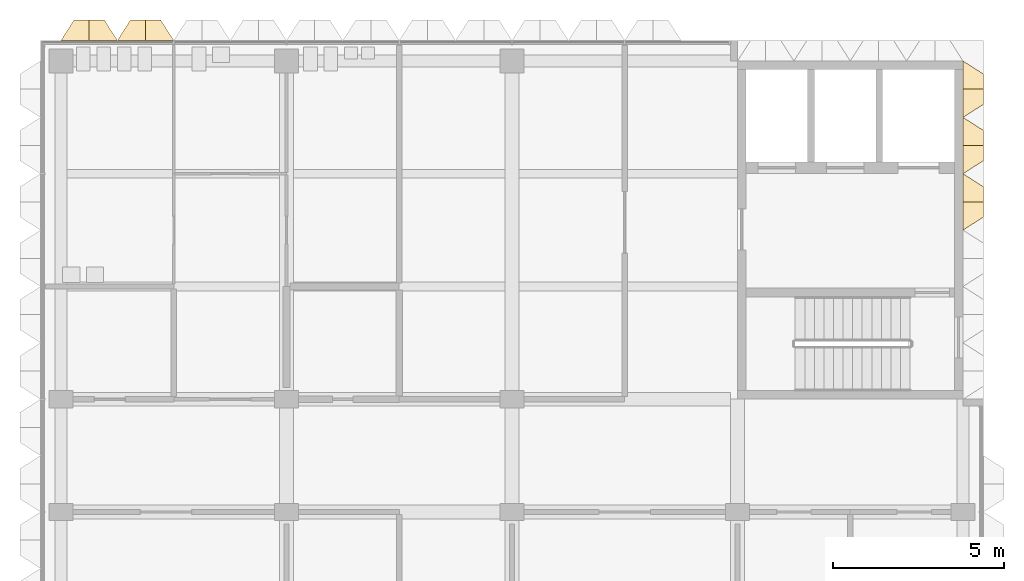
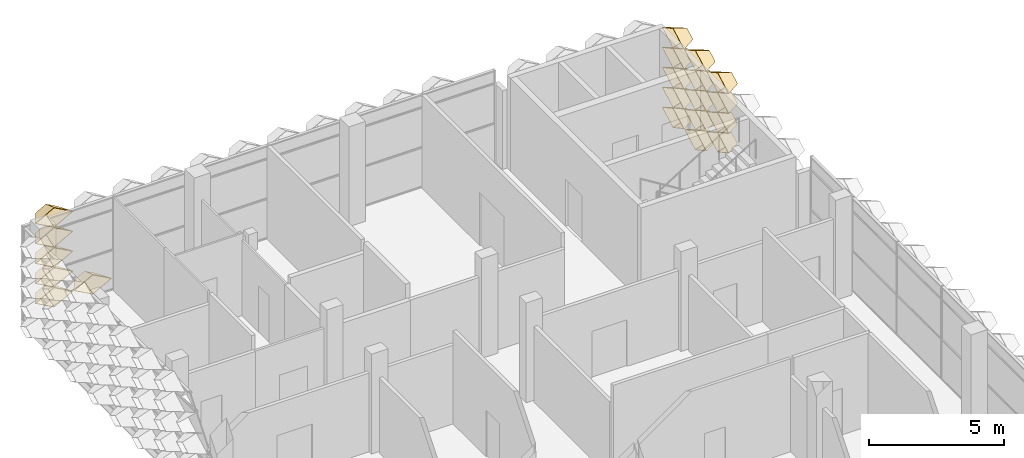
# One storey, part 23 of 28: 20 coverings.
"""IFC4 building model written with IfcOpenShell, lengths in metres."""

from ifc_helpers import new_model, entity, si_unit, direction, frame, origin, place, context, subcontext, project, spatial, material, layer, layer_set, type_object, element, save


model = new_model("IFC4")

# Units and contexts
model_context = context("Model", 3, precision=1e-05, world=origin(), true_north=direction((0.0, 1.0)))
body_context = subcontext(model_context, "Body", "Model", "MODEL_VIEW")
ifc_project = project(units=[si_unit("LENGTHUNIT", "METRE"), si_unit("AREAUNIT", "SQUARE_METRE"), si_unit("VOLUMEUNIT", "CUBIC_METRE"), si_unit("PLANEANGLEUNIT", "RADIAN"), si_unit("MASSUNIT", "GRAM", prefix="KILO")], contexts=[model_context])

# Site, building, storey
site_placement = place(None, origin())
site = spatial("IfcSite", under=ifc_project, at=site_placement, CompositionType="ELEMENT")
building_placement = place(site_placement, origin())
building = spatial("IfcBuilding", under=site, at=building_placement, Name="Lantern Court Research Institute", CompositionType="ELEMENT")
storey_placement = place(building_placement, frame((0.0, 0.0, 36.89990234375)))
storey = spatial("IfcBuildingStorey", under=building, at=storey_placement, Name="L08", CompositionType="ELEMENT", Elevation=36.89990234375)

# Coverings
ifc_material = material(Name="Anodised aluminium", Category="aluminium")
ifc_layer = layer(ifc_material, 0.01611328125)
ifc_layer_set = layer_set([ifc_layer], Name="Anodised aluminium")
covering_type = type_object("IfcCoveringType", Name="Fin cassette 1650 x 900 x 600 aluminium", PredefinedType="CLADDING", material=ifc_layer_set)
covering_1_placement = place(storey_placement, frame((79.199951171875, 20.625, 0.4501953125), z_axis=(1.0, 0.0, 0.0), x_axis=(0.0, 1.0, 0.0)))
cartesian_point_1 = entity("IfcCartesianPoint", [0.824951171875, 0.0])
cartesian_point_2 = entity("IfcCartesianPoint", [0.79150390625, 0.0])
cartesian_point_3 = entity("IfcCartesianPoint", [0.44189453125, 0.0])
cartesian_point_4 = entity("IfcCartesianPoint", [0.43359375, 0.0])
element("IfcCovering", 1, at=covering_1_placement, inside=storey, type_object=covering_type, Name="Fin cassette V5E-L08 1.13", PredefinedType="CLADDING", context=body_context, shape_type="SweptSolid", body=[
    entity("IfcExtrudedAreaSolidTapered", entity("IfcArbitraryProfileDefWithVoids", "AREA", None, entity("IfcPolyline", [cartesian_point_1, entity("IfcCartesianPoint", [0.0, 0.449951171875]), entity("IfcCartesianPoint", [-0.824951171875, 0.0]), entity("IfcCartesianPoint", [0.0, -0.449951171875]), cartesian_point_1]), [entity("IfcPolyline", [cartesian_point_2, entity("IfcCartesianPoint", [0.0, 0.431884765625]), entity("IfcCartesianPoint", [-0.79150390625, 0.0]), entity("IfcCartesianPoint", [0.0, -0.431884765625]), cartesian_point_2])]), entity("IfcAxis2Placement3D", entity("IfcCartesianPoint", [0.0, 0.0, 0.0])), entity("IfcDirection", [0.0, 0.0, 1.0]), 0.60009765625, entity("IfcArbitraryProfileDefWithVoids", "AREA", None, entity("IfcPolyline", [cartesian_point_3, entity("IfcCartesianPoint", [0.0, 0.240966796875]), entity("IfcCartesianPoint", [-0.44189453125, 0.0]), entity("IfcCartesianPoint", [0.0, -0.240966796875]), cartesian_point_3]), [entity("IfcPolyline", [cartesian_point_4, entity("IfcCartesianPoint", [0.0, 0.236572265625]), entity("IfcCartesianPoint", [-0.43359375, 0.0]), entity("IfcCartesianPoint", [0.0, -0.236572265625]), cartesian_point_4])])),
])
covering_2_placement = place(storey_placement, frame((79.199951171875, 22.27490234375, 0.4501953125), z_axis=(1.0, 0.0, 0.0), x_axis=(0.0, 1.0, 0.0)))
cartesian_point_5 = entity("IfcCartesianPoint", [0.824951171875, 0.0])
cartesian_point_6 = entity("IfcCartesianPoint", [0.79150390625, 0.0])
cartesian_point_7 = entity("IfcCartesianPoint", [0.44189453125, 0.0])
cartesian_point_8 = entity("IfcCartesianPoint", [0.43359375, 0.0])
element("IfcCovering", 2, at=covering_2_placement, inside=storey, type_object=covering_type, Name="Fin cassette V5E-L08 1.14", PredefinedType="CLADDING", context=body_context, shape_type="SweptSolid", body=[
    entity("IfcExtrudedAreaSolidTapered", entity("IfcArbitraryProfileDefWithVoids", "AREA", None, entity("IfcPolyline", [cartesian_point_5, entity("IfcCartesianPoint", [0.0, 0.449951171875]), entity("IfcCartesianPoint", [-0.824951171875, 0.0]), entity("IfcCartesianPoint", [0.0, -0.449951171875]), cartesian_point_5]), [entity("IfcPolyline", [cartesian_point_6, entity("IfcCartesianPoint", [0.0, 0.431884765625]), entity("IfcCartesianPoint", [-0.79150390625, 0.0]), entity("IfcCartesianPoint", [0.0, -0.431884765625]), cartesian_point_6])]), entity("IfcAxis2Placement3D", entity("IfcCartesianPoint", [0.0, 0.0, 0.0])), entity("IfcDirection", [0.0, 0.0, 1.0]), 0.60009765625, entity("IfcArbitraryProfileDefWithVoids", "AREA", None, entity("IfcPolyline", [cartesian_point_7, entity("IfcCartesianPoint", [0.0, 0.240966796875]), entity("IfcCartesianPoint", [-0.44189453125, 0.0]), entity("IfcCartesianPoint", [0.0, -0.240966796875]), cartesian_point_7]), [entity("IfcPolyline", [cartesian_point_8, entity("IfcCartesianPoint", [0.0, 0.236572265625]), entity("IfcCartesianPoint", [-0.43359375, 0.0]), entity("IfcCartesianPoint", [0.0, -0.236572265625]), cartesian_point_8])])),
])
covering_3_placement = place(storey_placement, frame((79.199951171875, 18.97509765625, 1.35009765625), z_axis=(1.0, 0.0, 0.0), x_axis=(0.0, 1.0, 0.0)))
cartesian_point_9 = entity("IfcCartesianPoint", [0.824951171875, 0.0])
cartesian_point_10 = entity("IfcCartesianPoint", [0.79150390625, 0.0])
cartesian_point_11 = entity("IfcCartesianPoint", [0.44189453125, 0.0])
cartesian_point_12 = entity("IfcCartesianPoint", [0.43359375, 0.0])
element("IfcCovering", 3, at=covering_3_placement, inside=storey, type_object=covering_type, Name="Fin cassette V5E-L08 2.12", PredefinedType="CLADDING", context=body_context, shape_type="SweptSolid", body=[
    entity("IfcExtrudedAreaSolidTapered", entity("IfcArbitraryProfileDefWithVoids", "AREA", None, entity("IfcPolyline", [cartesian_point_9, entity("IfcCartesianPoint", [0.0, 0.449951171875]), entity("IfcCartesianPoint", [-0.824951171875, 0.0]), entity("IfcCartesianPoint", [0.0, -0.449951171875]), cartesian_point_9]), [entity("IfcPolyline", [cartesian_point_10, entity("IfcCartesianPoint", [0.0, 0.431884765625]), entity("IfcCartesianPoint", [-0.79150390625, 0.0]), entity("IfcCartesianPoint", [0.0, -0.431884765625]), cartesian_point_10])]), entity("IfcAxis2Placement3D", entity("IfcCartesianPoint", [0.0, 0.0, 0.0])), entity("IfcDirection", [0.0, 0.0, 1.0]), 0.60009765625, entity("IfcArbitraryProfileDefWithVoids", "AREA", None, entity("IfcPolyline", [cartesian_point_11, entity("IfcCartesianPoint", [0.0, 0.240966796875]), entity("IfcCartesianPoint", [-0.44189453125, 0.0]), entity("IfcCartesianPoint", [0.0, -0.240966796875]), cartesian_point_11]), [entity("IfcPolyline", [cartesian_point_12, entity("IfcCartesianPoint", [0.0, 0.236572265625]), entity("IfcCartesianPoint", [-0.43359375, 0.0]), entity("IfcCartesianPoint", [0.0, -0.236572265625]), cartesian_point_12])])),
])
covering_4_placement = place(storey_placement, frame((79.199951171875, 20.625, 1.35009765625), z_axis=(1.0, 0.0, 0.0), x_axis=(0.0, 1.0, 0.0)))
cartesian_point_13 = entity("IfcCartesianPoint", [0.824951171875, 0.0])
cartesian_point_14 = entity("IfcCartesianPoint", [0.79150390625, 0.0])
cartesian_point_15 = entity("IfcCartesianPoint", [0.44189453125, 0.0])
cartesian_point_16 = entity("IfcCartesianPoint", [0.43359375, 0.0])
element("IfcCovering", 4, at=covering_4_placement, inside=storey, type_object=covering_type, Name="Fin cassette V5E-L08 2.13", PredefinedType="CLADDING", context=body_context, shape_type="SweptSolid", body=[
    entity("IfcExtrudedAreaSolidTapered", entity("IfcArbitraryProfileDefWithVoids", "AREA", None, entity("IfcPolyline", [cartesian_point_13, entity("IfcCartesianPoint", [0.0, 0.449951171875]), entity("IfcCartesianPoint", [-0.824951171875, 0.0]), entity("IfcCartesianPoint", [0.0, -0.449951171875]), cartesian_point_13]), [entity("IfcPolyline", [cartesian_point_14, entity("IfcCartesianPoint", [0.0, 0.431884765625]), entity("IfcCartesianPoint", [-0.79150390625, 0.0]), entity("IfcCartesianPoint", [0.0, -0.431884765625]), cartesian_point_14])]), entity("IfcAxis2Placement3D", entity("IfcCartesianPoint", [0.0, 0.0, 0.0])), entity("IfcDirection", [0.0, 0.0, 1.0]), 0.60009765625, entity("IfcArbitraryProfileDefWithVoids", "AREA", None, entity("IfcPolyline", [cartesian_point_15, entity("IfcCartesianPoint", [0.0, 0.240966796875]), entity("IfcCartesianPoint", [-0.44189453125, 0.0]), entity("IfcCartesianPoint", [0.0, -0.240966796875]), cartesian_point_15]), [entity("IfcPolyline", [cartesian_point_16, entity("IfcCartesianPoint", [0.0, 0.236572265625]), entity("IfcCartesianPoint", [-0.43359375, 0.0]), entity("IfcCartesianPoint", [0.0, -0.236572265625]), cartesian_point_16])])),
])
covering_5_placement = place(storey_placement, frame((79.199951171875, 22.27490234375, 1.35009765625), z_axis=(1.0, 0.0, 0.0), x_axis=(0.0, 1.0, 0.0)))
cartesian_point_17 = entity("IfcCartesianPoint", [0.824951171875, 0.0])
cartesian_point_18 = entity("IfcCartesianPoint", [0.79150390625, 0.0])
cartesian_point_19 = entity("IfcCartesianPoint", [0.44189453125, 0.0])
cartesian_point_20 = entity("IfcCartesianPoint", [0.43359375, 0.0])
element("IfcCovering", 5, at=covering_5_placement, inside=storey, type_object=covering_type, Name="Fin cassette V5E-L08 2.14", PredefinedType="CLADDING", context=body_context, shape_type="SweptSolid", body=[
    entity("IfcExtrudedAreaSolidTapered", entity("IfcArbitraryProfileDefWithVoids", "AREA", None, entity("IfcPolyline", [cartesian_point_17, entity("IfcCartesianPoint", [0.0, 0.449951171875]), entity("IfcCartesianPoint", [-0.824951171875, 0.0]), entity("IfcCartesianPoint", [0.0, -0.449951171875]), cartesian_point_17]), [entity("IfcPolyline", [cartesian_point_18, entity("IfcCartesianPoint", [0.0, 0.431884765625]), entity("IfcCartesianPoint", [-0.79150390625, 0.0]), entity("IfcCartesianPoint", [0.0, -0.431884765625]), cartesian_point_18])]), entity("IfcAxis2Placement3D", entity("IfcCartesianPoint", [0.0, 0.0, 0.0])), entity("IfcDirection", [0.0, 0.0, 1.0]), 0.60009765625, entity("IfcArbitraryProfileDefWithVoids", "AREA", None, entity("IfcPolyline", [cartesian_point_19, entity("IfcCartesianPoint", [0.0, 0.240966796875]), entity("IfcCartesianPoint", [-0.44189453125, 0.0]), entity("IfcCartesianPoint", [0.0, -0.240966796875]), cartesian_point_19]), [entity("IfcPolyline", [cartesian_point_20, entity("IfcCartesianPoint", [0.0, 0.236572265625]), entity("IfcCartesianPoint", [-0.43359375, 0.0]), entity("IfcCartesianPoint", [0.0, -0.236572265625]), cartesian_point_20])])),
])
covering_6_placement = place(storey_placement, frame((79.199951171875, 18.97509765625, 2.25), z_axis=(1.0, 0.0, 0.0), x_axis=(0.0, 1.0, 0.0)))
cartesian_point_21 = entity("IfcCartesianPoint", [0.824951171875, 0.0])
cartesian_point_22 = entity("IfcCartesianPoint", [0.79150390625, 0.0])
cartesian_point_23 = entity("IfcCartesianPoint", [0.44189453125, 0.0])
cartesian_point_24 = entity("IfcCartesianPoint", [0.43359375, 0.0])
element("IfcCovering", 6, at=covering_6_placement, inside=storey, type_object=covering_type, Name="Fin cassette V5E-L08 3.12", PredefinedType="CLADDING", context=body_context, shape_type="SweptSolid", body=[
    entity("IfcExtrudedAreaSolidTapered", entity("IfcArbitraryProfileDefWithVoids", "AREA", None, entity("IfcPolyline", [cartesian_point_21, entity("IfcCartesianPoint", [0.0, 0.449951171875]), entity("IfcCartesianPoint", [-0.824951171875, 0.0]), entity("IfcCartesianPoint", [0.0, -0.449951171875]), cartesian_point_21]), [entity("IfcPolyline", [cartesian_point_22, entity("IfcCartesianPoint", [0.0, 0.431884765625]), entity("IfcCartesianPoint", [-0.79150390625, 0.0]), entity("IfcCartesianPoint", [0.0, -0.431884765625]), cartesian_point_22])]), entity("IfcAxis2Placement3D", entity("IfcCartesianPoint", [0.0, 0.0, 0.0])), entity("IfcDirection", [0.0, 0.0, 1.0]), 0.60009765625, entity("IfcArbitraryProfileDefWithVoids", "AREA", None, entity("IfcPolyline", [cartesian_point_23, entity("IfcCartesianPoint", [0.0, 0.240966796875]), entity("IfcCartesianPoint", [-0.44189453125, 0.0]), entity("IfcCartesianPoint", [0.0, -0.240966796875]), cartesian_point_23]), [entity("IfcPolyline", [cartesian_point_24, entity("IfcCartesianPoint", [0.0, 0.236572265625]), entity("IfcCartesianPoint", [-0.43359375, 0.0]), entity("IfcCartesianPoint", [0.0, -0.236572265625]), cartesian_point_24])])),
])
covering_7_placement = place(storey_placement, frame((79.199951171875, 20.625, 2.25), z_axis=(1.0, 0.0, 0.0), x_axis=(0.0, 1.0, 0.0)))
cartesian_point_25 = entity("IfcCartesianPoint", [0.824951171875, 0.0])
cartesian_point_26 = entity("IfcCartesianPoint", [0.79150390625, 0.0])
cartesian_point_27 = entity("IfcCartesianPoint", [0.44189453125, 0.0])
cartesian_point_28 = entity("IfcCartesianPoint", [0.43359375, 0.0])
element("IfcCovering", 7, at=covering_7_placement, inside=storey, type_object=covering_type, Name="Fin cassette V5E-L08 3.13", PredefinedType="CLADDING", context=body_context, shape_type="SweptSolid", body=[
    entity("IfcExtrudedAreaSolidTapered", entity("IfcArbitraryProfileDefWithVoids", "AREA", None, entity("IfcPolyline", [cartesian_point_25, entity("IfcCartesianPoint", [0.0, 0.449951171875]), entity("IfcCartesianPoint", [-0.824951171875, 0.0]), entity("IfcCartesianPoint", [0.0, -0.449951171875]), cartesian_point_25]), [entity("IfcPolyline", [cartesian_point_26, entity("IfcCartesianPoint", [0.0, 0.431884765625]), entity("IfcCartesianPoint", [-0.79150390625, 0.0]), entity("IfcCartesianPoint", [0.0, -0.431884765625]), cartesian_point_26])]), entity("IfcAxis2Placement3D", entity("IfcCartesianPoint", [0.0, 0.0, 0.0])), entity("IfcDirection", [0.0, 0.0, 1.0]), 0.60009765625, entity("IfcArbitraryProfileDefWithVoids", "AREA", None, entity("IfcPolyline", [cartesian_point_27, entity("IfcCartesianPoint", [0.0, 0.240966796875]), entity("IfcCartesianPoint", [-0.44189453125, 0.0]), entity("IfcCartesianPoint", [0.0, -0.240966796875]), cartesian_point_27]), [entity("IfcPolyline", [cartesian_point_28, entity("IfcCartesianPoint", [0.0, 0.236572265625]), entity("IfcCartesianPoint", [-0.43359375, 0.0]), entity("IfcCartesianPoint", [0.0, -0.236572265625]), cartesian_point_28])])),
])
covering_8_placement = place(storey_placement, frame((79.199951171875, 22.27490234375, 2.25), z_axis=(1.0, 0.0, 0.0), x_axis=(0.0, 1.0, 0.0)))
cartesian_point_29 = entity("IfcCartesianPoint", [0.824951171875, 0.0])
cartesian_point_30 = entity("IfcCartesianPoint", [0.79150390625, 0.0])
cartesian_point_31 = entity("IfcCartesianPoint", [0.44189453125, 0.0])
cartesian_point_32 = entity("IfcCartesianPoint", [0.43359375, 0.0])
element("IfcCovering", 8, at=covering_8_placement, inside=storey, type_object=covering_type, Name="Fin cassette V5E-L08 3.14", PredefinedType="CLADDING", context=body_context, shape_type="SweptSolid", body=[
    entity("IfcExtrudedAreaSolidTapered", entity("IfcArbitraryProfileDefWithVoids", "AREA", None, entity("IfcPolyline", [cartesian_point_29, entity("IfcCartesianPoint", [0.0, 0.449951171875]), entity("IfcCartesianPoint", [-0.824951171875, 0.0]), entity("IfcCartesianPoint", [0.0, -0.449951171875]), cartesian_point_29]), [entity("IfcPolyline", [cartesian_point_30, entity("IfcCartesianPoint", [0.0, 0.431884765625]), entity("IfcCartesianPoint", [-0.79150390625, 0.0]), entity("IfcCartesianPoint", [0.0, -0.431884765625]), cartesian_point_30])]), entity("IfcAxis2Placement3D", entity("IfcCartesianPoint", [0.0, 0.0, 0.0])), entity("IfcDirection", [0.0, 0.0, 1.0]), 0.60009765625, entity("IfcArbitraryProfileDefWithVoids", "AREA", None, entity("IfcPolyline", [cartesian_point_31, entity("IfcCartesianPoint", [0.0, 0.240966796875]), entity("IfcCartesianPoint", [-0.44189453125, 0.0]), entity("IfcCartesianPoint", [0.0, -0.240966796875]), cartesian_point_31]), [entity("IfcPolyline", [cartesian_point_32, entity("IfcCartesianPoint", [0.0, 0.236572265625]), entity("IfcCartesianPoint", [-0.43359375, 0.0]), entity("IfcCartesianPoint", [0.0, -0.236572265625]), cartesian_point_32])])),
])
covering_9_placement = place(storey_placement, frame((79.199951171875, 18.97509765625, 3.150146484375), z_axis=(1.0, 0.0, 0.0), x_axis=(0.0, 1.0, 0.0)))
cartesian_point_33 = entity("IfcCartesianPoint", [0.824951171875, 0.0])
cartesian_point_34 = entity("IfcCartesianPoint", [0.79150390625, 0.0])
cartesian_point_35 = entity("IfcCartesianPoint", [0.44189453125, 0.0])
cartesian_point_36 = entity("IfcCartesianPoint", [0.43359375, 0.0])
element("IfcCovering", 9, at=covering_9_placement, inside=storey, type_object=covering_type, Name="Fin cassette V5E-L08 4.12", PredefinedType="CLADDING", context=body_context, shape_type="SweptSolid", body=[
    entity("IfcExtrudedAreaSolidTapered", entity("IfcArbitraryProfileDefWithVoids", "AREA", None, entity("IfcPolyline", [cartesian_point_33, entity("IfcCartesianPoint", [0.0, 0.449951171875]), entity("IfcCartesianPoint", [-0.824951171875, 0.0]), entity("IfcCartesianPoint", [0.0, -0.449951171875]), cartesian_point_33]), [entity("IfcPolyline", [cartesian_point_34, entity("IfcCartesianPoint", [0.0, 0.431884765625]), entity("IfcCartesianPoint", [-0.79150390625, 0.0]), entity("IfcCartesianPoint", [0.0, -0.431884765625]), cartesian_point_34])]), entity("IfcAxis2Placement3D", entity("IfcCartesianPoint", [0.0, 0.0, 0.0])), entity("IfcDirection", [0.0, 0.0, 1.0]), 0.60009765625, entity("IfcArbitraryProfileDefWithVoids", "AREA", None, entity("IfcPolyline", [cartesian_point_35, entity("IfcCartesianPoint", [0.0, 0.240966796875]), entity("IfcCartesianPoint", [-0.44189453125, 0.0]), entity("IfcCartesianPoint", [0.0, -0.240966796875]), cartesian_point_35]), [entity("IfcPolyline", [cartesian_point_36, entity("IfcCartesianPoint", [0.0, 0.236572265625]), entity("IfcCartesianPoint", [-0.43359375, 0.0]), entity("IfcCartesianPoint", [0.0, -0.236572265625]), cartesian_point_36])])),
])
covering_10_placement = place(storey_placement, frame((79.199951171875, 20.625, 3.150146484375), z_axis=(1.0, 0.0, 0.0), x_axis=(0.0, 1.0, 0.0)))
cartesian_point_37 = entity("IfcCartesianPoint", [0.824951171875, 0.0])
cartesian_point_38 = entity("IfcCartesianPoint", [0.79150390625, 0.0])
cartesian_point_39 = entity("IfcCartesianPoint", [0.44189453125, 0.0])
cartesian_point_40 = entity("IfcCartesianPoint", [0.43359375, 0.0])
element("IfcCovering", 10, at=covering_10_placement, inside=storey, type_object=covering_type, Name="Fin cassette V5E-L08 4.13", PredefinedType="CLADDING", context=body_context, shape_type="SweptSolid", body=[
    entity("IfcExtrudedAreaSolidTapered", entity("IfcArbitraryProfileDefWithVoids", "AREA", None, entity("IfcPolyline", [cartesian_point_37, entity("IfcCartesianPoint", [0.0, 0.449951171875]), entity("IfcCartesianPoint", [-0.824951171875, 0.0]), entity("IfcCartesianPoint", [0.0, -0.449951171875]), cartesian_point_37]), [entity("IfcPolyline", [cartesian_point_38, entity("IfcCartesianPoint", [0.0, 0.431884765625]), entity("IfcCartesianPoint", [-0.79150390625, 0.0]), entity("IfcCartesianPoint", [0.0, -0.431884765625]), cartesian_point_38])]), entity("IfcAxis2Placement3D", entity("IfcCartesianPoint", [0.0, 0.0, 0.0])), entity("IfcDirection", [0.0, 0.0, 1.0]), 0.60009765625, entity("IfcArbitraryProfileDefWithVoids", "AREA", None, entity("IfcPolyline", [cartesian_point_39, entity("IfcCartesianPoint", [0.0, 0.240966796875]), entity("IfcCartesianPoint", [-0.44189453125, 0.0]), entity("IfcCartesianPoint", [0.0, -0.240966796875]), cartesian_point_39]), [entity("IfcPolyline", [cartesian_point_40, entity("IfcCartesianPoint", [0.0, 0.236572265625]), entity("IfcCartesianPoint", [-0.43359375, 0.0]), entity("IfcCartesianPoint", [0.0, -0.236572265625]), cartesian_point_40])])),
])
covering_11_placement = place(storey_placement, frame((79.199951171875, 22.27490234375, 3.150146484375), z_axis=(1.0, 0.0, 0.0), x_axis=(0.0, 1.0, 0.0)))
cartesian_point_41 = entity("IfcCartesianPoint", [0.824951171875, 0.0])
cartesian_point_42 = entity("IfcCartesianPoint", [0.79150390625, 0.0])
cartesian_point_43 = entity("IfcCartesianPoint", [0.44189453125, 0.0])
cartesian_point_44 = entity("IfcCartesianPoint", [0.43359375, 0.0])
element("IfcCovering", 11, at=covering_11_placement, inside=storey, type_object=covering_type, Name="Fin cassette V5E-L08 4.14", PredefinedType="CLADDING", context=body_context, shape_type="SweptSolid", body=[
    entity("IfcExtrudedAreaSolidTapered", entity("IfcArbitraryProfileDefWithVoids", "AREA", None, entity("IfcPolyline", [cartesian_point_41, entity("IfcCartesianPoint", [0.0, 0.449951171875]), entity("IfcCartesianPoint", [-0.824951171875, 0.0]), entity("IfcCartesianPoint", [0.0, -0.449951171875]), cartesian_point_41]), [entity("IfcPolyline", [cartesian_point_42, entity("IfcCartesianPoint", [0.0, 0.431884765625]), entity("IfcCartesianPoint", [-0.79150390625, 0.0]), entity("IfcCartesianPoint", [0.0, -0.431884765625]), cartesian_point_42])]), entity("IfcAxis2Placement3D", entity("IfcCartesianPoint", [0.0, 0.0, 0.0])), entity("IfcDirection", [0.0, 0.0, 1.0]), 0.60009765625, entity("IfcArbitraryProfileDefWithVoids", "AREA", None, entity("IfcPolyline", [cartesian_point_43, entity("IfcCartesianPoint", [0.0, 0.240966796875]), entity("IfcCartesianPoint", [-0.44189453125, 0.0]), entity("IfcCartesianPoint", [0.0, -0.240966796875]), cartesian_point_43]), [entity("IfcPolyline", [cartesian_point_44, entity("IfcCartesianPoint", [0.0, 0.236572265625]), entity("IfcCartesianPoint", [-0.43359375, 0.0]), entity("IfcCartesianPoint", [0.0, -0.236572265625]), cartesian_point_44])])),
])
covering_12_placement = place(storey_placement, frame((79.199951171875, 18.97509765625, 4.050048828125), z_axis=(1.0, 0.0, 0.0), x_axis=(0.0, 1.0, 0.0)))
cartesian_point_45 = entity("IfcCartesianPoint", [0.824951171875, 0.0])
cartesian_point_46 = entity("IfcCartesianPoint", [0.79150390625, 0.0])
cartesian_point_47 = entity("IfcCartesianPoint", [0.44189453125, 0.0])
cartesian_point_48 = entity("IfcCartesianPoint", [0.43359375, 0.0])
element("IfcCovering", 12, at=covering_12_placement, inside=storey, type_object=covering_type, Name="Fin cassette V5E-L08 5.12", PredefinedType="CLADDING", context=body_context, shape_type="SweptSolid", body=[
    entity("IfcExtrudedAreaSolidTapered", entity("IfcArbitraryProfileDefWithVoids", "AREA", None, entity("IfcPolyline", [cartesian_point_45, entity("IfcCartesianPoint", [0.0, 0.449951171875]), entity("IfcCartesianPoint", [-0.824951171875, 0.0]), entity("IfcCartesianPoint", [0.0, -0.449951171875]), cartesian_point_45]), [entity("IfcPolyline", [cartesian_point_46, entity("IfcCartesianPoint", [0.0, 0.431884765625]), entity("IfcCartesianPoint", [-0.79150390625, 0.0]), entity("IfcCartesianPoint", [0.0, -0.431884765625]), cartesian_point_46])]), entity("IfcAxis2Placement3D", entity("IfcCartesianPoint", [0.0, 0.0, 0.0])), entity("IfcDirection", [0.0, 0.0, 1.0]), 0.60009765625, entity("IfcArbitraryProfileDefWithVoids", "AREA", None, entity("IfcPolyline", [cartesian_point_47, entity("IfcCartesianPoint", [0.0, 0.240966796875]), entity("IfcCartesianPoint", [-0.44189453125, 0.0]), entity("IfcCartesianPoint", [0.0, -0.240966796875]), cartesian_point_47]), [entity("IfcPolyline", [cartesian_point_48, entity("IfcCartesianPoint", [0.0, 0.236572265625]), entity("IfcCartesianPoint", [-0.43359375, 0.0]), entity("IfcCartesianPoint", [0.0, -0.236572265625]), cartesian_point_48])])),
])
covering_13_placement = place(storey_placement, frame((79.199951171875, 20.625, 4.050048828125), z_axis=(1.0, 0.0, 0.0), x_axis=(0.0, 1.0, 0.0)))
cartesian_point_49 = entity("IfcCartesianPoint", [0.824951171875, 0.0])
cartesian_point_50 = entity("IfcCartesianPoint", [0.79150390625, 0.0])
cartesian_point_51 = entity("IfcCartesianPoint", [0.44189453125, 0.0])
cartesian_point_52 = entity("IfcCartesianPoint", [0.43359375, 0.0])
element("IfcCovering", 13, at=covering_13_placement, inside=storey, type_object=covering_type, Name="Fin cassette V5E-L08 5.13", PredefinedType="CLADDING", context=body_context, shape_type="SweptSolid", body=[
    entity("IfcExtrudedAreaSolidTapered", entity("IfcArbitraryProfileDefWithVoids", "AREA", None, entity("IfcPolyline", [cartesian_point_49, entity("IfcCartesianPoint", [0.0, 0.449951171875]), entity("IfcCartesianPoint", [-0.824951171875, 0.0]), entity("IfcCartesianPoint", [0.0, -0.449951171875]), cartesian_point_49]), [entity("IfcPolyline", [cartesian_point_50, entity("IfcCartesianPoint", [0.0, 0.431884765625]), entity("IfcCartesianPoint", [-0.79150390625, 0.0]), entity("IfcCartesianPoint", [0.0, -0.431884765625]), cartesian_point_50])]), entity("IfcAxis2Placement3D", entity("IfcCartesianPoint", [0.0, 0.0, 0.0])), entity("IfcDirection", [0.0, 0.0, 1.0]), 0.60009765625, entity("IfcArbitraryProfileDefWithVoids", "AREA", None, entity("IfcPolyline", [cartesian_point_51, entity("IfcCartesianPoint", [0.0, 0.240966796875]), entity("IfcCartesianPoint", [-0.44189453125, 0.0]), entity("IfcCartesianPoint", [0.0, -0.240966796875]), cartesian_point_51]), [entity("IfcPolyline", [cartesian_point_52, entity("IfcCartesianPoint", [0.0, 0.236572265625]), entity("IfcCartesianPoint", [-0.43359375, 0.0]), entity("IfcCartesianPoint", [0.0, -0.236572265625]), cartesian_point_52])])),
])
covering_14_placement = place(storey_placement, frame((79.199951171875, 22.27490234375, 4.050048828125), z_axis=(1.0, 0.0, 0.0), x_axis=(0.0, 1.0, 0.0)))
cartesian_point_53 = entity("IfcCartesianPoint", [0.824951171875, 0.0])
cartesian_point_54 = entity("IfcCartesianPoint", [0.79150390625, 0.0])
cartesian_point_55 = entity("IfcCartesianPoint", [0.44189453125, 0.0])
cartesian_point_56 = entity("IfcCartesianPoint", [0.43359375, 0.0])
element("IfcCovering", 14, at=covering_14_placement, inside=storey, type_object=covering_type, Name="Fin cassette V5E-L08 5.14", PredefinedType="CLADDING", context=body_context, shape_type="SweptSolid", body=[
    entity("IfcExtrudedAreaSolidTapered", entity("IfcArbitraryProfileDefWithVoids", "AREA", None, entity("IfcPolyline", [cartesian_point_53, entity("IfcCartesianPoint", [0.0, 0.449951171875]), entity("IfcCartesianPoint", [-0.824951171875, 0.0]), entity("IfcCartesianPoint", [0.0, -0.449951171875]), cartesian_point_53]), [entity("IfcPolyline", [cartesian_point_54, entity("IfcCartesianPoint", [0.0, 0.431884765625]), entity("IfcCartesianPoint", [-0.79150390625, 0.0]), entity("IfcCartesianPoint", [0.0, -0.431884765625]), cartesian_point_54])]), entity("IfcAxis2Placement3D", entity("IfcCartesianPoint", [0.0, 0.0, 0.0])), entity("IfcDirection", [0.0, 0.0, 1.0]), 0.60009765625, entity("IfcArbitraryProfileDefWithVoids", "AREA", None, entity("IfcPolyline", [cartesian_point_55, entity("IfcCartesianPoint", [0.0, 0.240966796875]), entity("IfcCartesianPoint", [-0.44189453125, 0.0]), entity("IfcCartesianPoint", [0.0, -0.240966796875]), cartesian_point_55]), [entity("IfcPolyline", [cartesian_point_56, entity("IfcCartesianPoint", [0.0, 0.236572265625]), entity("IfcCartesianPoint", [-0.43359375, 0.0]), entity("IfcCartesianPoint", [0.0, -0.236572265625]), cartesian_point_56])])),
])
covering_15_placement = place(storey_placement, frame((53.625, 23.699951171875, 0.4501953125), z_axis=(0.0, 1.0, 0.0), x_axis=(-1.0, 0.0, 0.0)))
cartesian_point_57 = entity("IfcCartesianPoint", [0.824951171875, 0.0])
cartesian_point_58 = entity("IfcCartesianPoint", [0.79150390625, 0.0])
cartesian_point_59 = entity("IfcCartesianPoint", [0.44189453125, 0.0])
cartesian_point_60 = entity("IfcCartesianPoint", [0.43359375, 0.0])
element("IfcCovering", 15, at=covering_15_placement, inside=storey, type_object=covering_type, Name="Fin cassette V5N-L08 1.33", PredefinedType="CLADDING", context=body_context, shape_type="SweptSolid", body=[
    entity("IfcExtrudedAreaSolidTapered", entity("IfcArbitraryProfileDefWithVoids", "AREA", None, entity("IfcPolyline", [cartesian_point_57, entity("IfcCartesianPoint", [0.0, 0.449951171875]), entity("IfcCartesianPoint", [-0.824951171875, 0.0]), entity("IfcCartesianPoint", [0.0, -0.449951171875]), cartesian_point_57]), [entity("IfcPolyline", [cartesian_point_58, entity("IfcCartesianPoint", [0.0, 0.431884765625]), entity("IfcCartesianPoint", [-0.79150390625, 0.0]), entity("IfcCartesianPoint", [0.0, -0.431884765625]), cartesian_point_58])]), entity("IfcAxis2Placement3D", entity("IfcCartesianPoint", [0.0, 0.0, 0.0])), entity("IfcDirection", [0.0, 0.0, 1.0]), 0.60009765625, entity("IfcArbitraryProfileDefWithVoids", "AREA", None, entity("IfcPolyline", [cartesian_point_59, entity("IfcCartesianPoint", [0.0, 0.240966796875]), entity("IfcCartesianPoint", [-0.44189453125, 0.0]), entity("IfcCartesianPoint", [0.0, -0.240966796875]), cartesian_point_59]), [entity("IfcPolyline", [cartesian_point_60, entity("IfcCartesianPoint", [0.0, 0.236572265625]), entity("IfcCartesianPoint", [-0.43359375, 0.0]), entity("IfcCartesianPoint", [0.0, -0.236572265625]), cartesian_point_60])])),
])
covering_16_placement = place(storey_placement, frame((55.27490234375, 23.699951171875, 0.4501953125), z_axis=(0.0, 1.0, 0.0), x_axis=(-1.0, 0.0, 0.0)))
cartesian_point_61 = entity("IfcCartesianPoint", [0.824951171875, 0.0])
cartesian_point_62 = entity("IfcCartesianPoint", [0.79150390625, 0.0])
cartesian_point_63 = entity("IfcCartesianPoint", [0.44189453125, 0.0])
cartesian_point_64 = entity("IfcCartesianPoint", [0.43359375, 0.0])
element("IfcCovering", 16, at=covering_16_placement, inside=storey, type_object=covering_type, Name="Fin cassette V5N-L08 1.34", PredefinedType="CLADDING", context=body_context, shape_type="SweptSolid", body=[
    entity("IfcExtrudedAreaSolidTapered", entity("IfcArbitraryProfileDefWithVoids", "AREA", None, entity("IfcPolyline", [cartesian_point_61, entity("IfcCartesianPoint", [0.0, 0.449951171875]), entity("IfcCartesianPoint", [-0.824951171875, 0.0]), entity("IfcCartesianPoint", [0.0, -0.449951171875]), cartesian_point_61]), [entity("IfcPolyline", [cartesian_point_62, entity("IfcCartesianPoint", [0.0, 0.431884765625]), entity("IfcCartesianPoint", [-0.79150390625, 0.0]), entity("IfcCartesianPoint", [0.0, -0.431884765625]), cartesian_point_62])]), entity("IfcAxis2Placement3D", entity("IfcCartesianPoint", [0.0, 0.0, 0.0])), entity("IfcDirection", [0.0, 0.0, 1.0]), 0.60009765625, entity("IfcArbitraryProfileDefWithVoids", "AREA", None, entity("IfcPolyline", [cartesian_point_63, entity("IfcCartesianPoint", [0.0, 0.240966796875]), entity("IfcCartesianPoint", [-0.44189453125, 0.0]), entity("IfcCartesianPoint", [0.0, -0.240966796875]), cartesian_point_63]), [entity("IfcPolyline", [cartesian_point_64, entity("IfcCartesianPoint", [0.0, 0.236572265625]), entity("IfcCartesianPoint", [-0.43359375, 0.0]), entity("IfcCartesianPoint", [0.0, -0.236572265625]), cartesian_point_64])])),
])
covering_17_placement = place(storey_placement, frame((53.625, 23.699951171875, 1.35009765625), z_axis=(0.0, 1.0, 0.0), x_axis=(-1.0, 0.0, 0.0)))
cartesian_point_65 = entity("IfcCartesianPoint", [0.824951171875, 0.0])
cartesian_point_66 = entity("IfcCartesianPoint", [0.79150390625, 0.0])
cartesian_point_67 = entity("IfcCartesianPoint", [0.44189453125, 0.0])
cartesian_point_68 = entity("IfcCartesianPoint", [0.43359375, 0.0])
element("IfcCovering", 17, at=covering_17_placement, inside=storey, type_object=covering_type, Name="Fin cassette V5N-L08 2.33", PredefinedType="CLADDING", context=body_context, shape_type="SweptSolid", body=[
    entity("IfcExtrudedAreaSolidTapered", entity("IfcArbitraryProfileDefWithVoids", "AREA", None, entity("IfcPolyline", [cartesian_point_65, entity("IfcCartesianPoint", [0.0, 0.449951171875]), entity("IfcCartesianPoint", [-0.824951171875, 0.0]), entity("IfcCartesianPoint", [0.0, -0.449951171875]), cartesian_point_65]), [entity("IfcPolyline", [cartesian_point_66, entity("IfcCartesianPoint", [0.0, 0.431884765625]), entity("IfcCartesianPoint", [-0.79150390625, 0.0]), entity("IfcCartesianPoint", [0.0, -0.431884765625]), cartesian_point_66])]), entity("IfcAxis2Placement3D", entity("IfcCartesianPoint", [0.0, 0.0, 0.0])), entity("IfcDirection", [0.0, 0.0, 1.0]), 0.60009765625, entity("IfcArbitraryProfileDefWithVoids", "AREA", None, entity("IfcPolyline", [cartesian_point_67, entity("IfcCartesianPoint", [0.0, 0.240966796875]), entity("IfcCartesianPoint", [-0.44189453125, 0.0]), entity("IfcCartesianPoint", [0.0, -0.240966796875]), cartesian_point_67]), [entity("IfcPolyline", [cartesian_point_68, entity("IfcCartesianPoint", [0.0, 0.236572265625]), entity("IfcCartesianPoint", [-0.43359375, 0.0]), entity("IfcCartesianPoint", [0.0, -0.236572265625]), cartesian_point_68])])),
])
covering_18_placement = place(storey_placement, frame((53.625, 23.699951171875, 2.25), z_axis=(0.0, 1.0, 0.0), x_axis=(-1.0, 0.0, 0.0)))
cartesian_point_69 = entity("IfcCartesianPoint", [0.824951171875, 0.0])
cartesian_point_70 = entity("IfcCartesianPoint", [0.79150390625, 0.0])
cartesian_point_71 = entity("IfcCartesianPoint", [0.44189453125, 0.0])
cartesian_point_72 = entity("IfcCartesianPoint", [0.43359375, 0.0])
element("IfcCovering", 18, at=covering_18_placement, inside=storey, type_object=covering_type, Name="Fin cassette V5N-L08 3.33", PredefinedType="CLADDING", context=body_context, shape_type="SweptSolid", body=[
    entity("IfcExtrudedAreaSolidTapered", entity("IfcArbitraryProfileDefWithVoids", "AREA", None, entity("IfcPolyline", [cartesian_point_69, entity("IfcCartesianPoint", [0.0, 0.449951171875]), entity("IfcCartesianPoint", [-0.824951171875, 0.0]), entity("IfcCartesianPoint", [0.0, -0.449951171875]), cartesian_point_69]), [entity("IfcPolyline", [cartesian_point_70, entity("IfcCartesianPoint", [0.0, 0.431884765625]), entity("IfcCartesianPoint", [-0.79150390625, 0.0]), entity("IfcCartesianPoint", [0.0, -0.431884765625]), cartesian_point_70])]), entity("IfcAxis2Placement3D", entity("IfcCartesianPoint", [0.0, 0.0, 0.0])), entity("IfcDirection", [0.0, 0.0, 1.0]), 0.60009765625, entity("IfcArbitraryProfileDefWithVoids", "AREA", None, entity("IfcPolyline", [cartesian_point_71, entity("IfcCartesianPoint", [0.0, 0.240966796875]), entity("IfcCartesianPoint", [-0.44189453125, 0.0]), entity("IfcCartesianPoint", [0.0, -0.240966796875]), cartesian_point_71]), [entity("IfcPolyline", [cartesian_point_72, entity("IfcCartesianPoint", [0.0, 0.236572265625]), entity("IfcCartesianPoint", [-0.43359375, 0.0]), entity("IfcCartesianPoint", [0.0, -0.236572265625]), cartesian_point_72])])),
])
covering_19_placement = place(storey_placement, frame((53.625, 23.699951171875, 3.150146484375), z_axis=(0.0, 1.0, 0.0), x_axis=(-1.0, 0.0, 0.0)))
cartesian_point_73 = entity("IfcCartesianPoint", [0.824951171875, 0.0])
cartesian_point_74 = entity("IfcCartesianPoint", [0.79150390625, 0.0])
cartesian_point_75 = entity("IfcCartesianPoint", [0.44189453125, 0.0])
cartesian_point_76 = entity("IfcCartesianPoint", [0.43359375, 0.0])
element("IfcCovering", 19, at=covering_19_placement, inside=storey, type_object=covering_type, Name="Fin cassette V5N-L08 4.33", PredefinedType="CLADDING", context=body_context, shape_type="SweptSolid", body=[
    entity("IfcExtrudedAreaSolidTapered", entity("IfcArbitraryProfileDefWithVoids", "AREA", None, entity("IfcPolyline", [cartesian_point_73, entity("IfcCartesianPoint", [0.0, 0.449951171875]), entity("IfcCartesianPoint", [-0.824951171875, 0.0]), entity("IfcCartesianPoint", [0.0, -0.449951171875]), cartesian_point_73]), [entity("IfcPolyline", [cartesian_point_74, entity("IfcCartesianPoint", [0.0, 0.431884765625]), entity("IfcCartesianPoint", [-0.79150390625, 0.0]), entity("IfcCartesianPoint", [0.0, -0.431884765625]), cartesian_point_74])]), entity("IfcAxis2Placement3D", entity("IfcCartesianPoint", [0.0, 0.0, 0.0])), entity("IfcDirection", [0.0, 0.0, 1.0]), 0.60009765625, entity("IfcArbitraryProfileDefWithVoids", "AREA", None, entity("IfcPolyline", [cartesian_point_75, entity("IfcCartesianPoint", [0.0, 0.240966796875]), entity("IfcCartesianPoint", [-0.44189453125, 0.0]), entity("IfcCartesianPoint", [0.0, -0.240966796875]), cartesian_point_75]), [entity("IfcPolyline", [cartesian_point_76, entity("IfcCartesianPoint", [0.0, 0.236572265625]), entity("IfcCartesianPoint", [-0.43359375, 0.0]), entity("IfcCartesianPoint", [0.0, -0.236572265625]), cartesian_point_76])])),
])
covering_20_placement = place(storey_placement, frame((53.625, 23.699951171875, 4.050048828125), z_axis=(0.0, 1.0, 0.0), x_axis=(-1.0, 0.0, 0.0)))
cartesian_point_77 = entity("IfcCartesianPoint", [0.824951171875, 0.0])
cartesian_point_78 = entity("IfcCartesianPoint", [0.79150390625, 0.0])
cartesian_point_79 = entity("IfcCartesianPoint", [0.44189453125, 0.0])
cartesian_point_80 = entity("IfcCartesianPoint", [0.43359375, 0.0])
element("IfcCovering", 20, at=covering_20_placement, inside=storey, type_object=covering_type, Name="Fin cassette V5N-L08 5.33", PredefinedType="CLADDING", context=body_context, shape_type="SweptSolid", body=[
    entity("IfcExtrudedAreaSolidTapered", entity("IfcArbitraryProfileDefWithVoids", "AREA", None, entity("IfcPolyline", [cartesian_point_77, entity("IfcCartesianPoint", [0.0, 0.449951171875]), entity("IfcCartesianPoint", [-0.824951171875, 0.0]), entity("IfcCartesianPoint", [0.0, -0.449951171875]), cartesian_point_77]), [entity("IfcPolyline", [cartesian_point_78, entity("IfcCartesianPoint", [0.0, 0.431884765625]), entity("IfcCartesianPoint", [-0.79150390625, 0.0]), entity("IfcCartesianPoint", [0.0, -0.431884765625]), cartesian_point_78])]), entity("IfcAxis2Placement3D", entity("IfcCartesianPoint", [0.0, 0.0, 0.0])), entity("IfcDirection", [0.0, 0.0, 1.0]), 0.60009765625, entity("IfcArbitraryProfileDefWithVoids", "AREA", None, entity("IfcPolyline", [cartesian_point_79, entity("IfcCartesianPoint", [0.0, 0.240966796875]), entity("IfcCartesianPoint", [-0.44189453125, 0.0]), entity("IfcCartesianPoint", [0.0, -0.240966796875]), cartesian_point_79]), [entity("IfcPolyline", [cartesian_point_80, entity("IfcCartesianPoint", [0.0, 0.236572265625]), entity("IfcCartesianPoint", [-0.43359375, 0.0]), entity("IfcCartesianPoint", [0.0, -0.236572265625]), cartesian_point_80])])),
])

save(model, "model.ifc")
